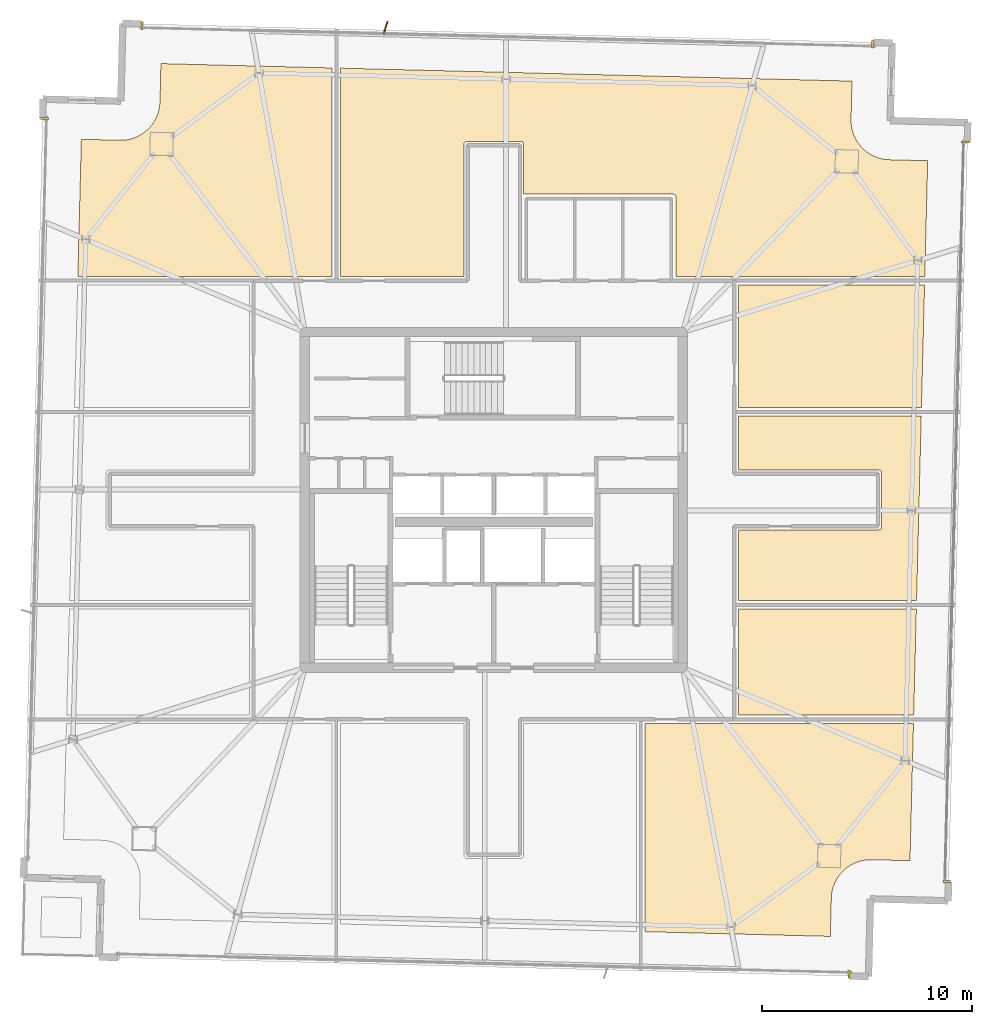
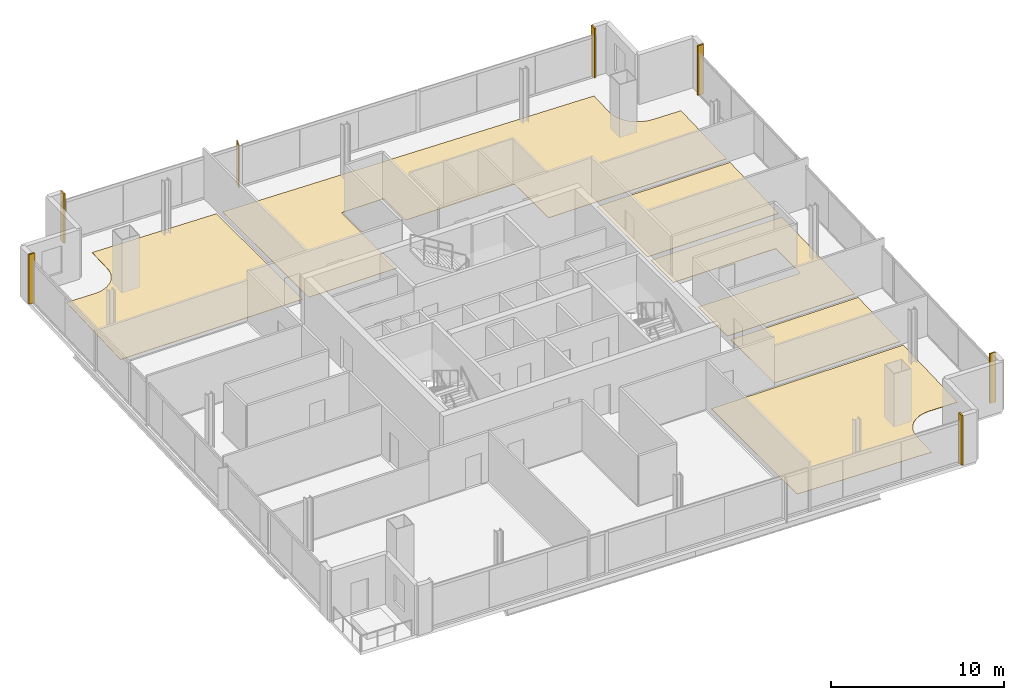
# One storey, part 25 of 25: 12 coverings, 1 shading device.
"""IFC4 building model written with IfcOpenShell, lengths in metres."""

from ifc_helpers import new_model, si_unit, direction, frame, origin, origin_2d, place, context, subcontext, project, spatial, polyline, rectangle, outline, extrude, source, transform, mapped, material, layer, layer_set, type_object, element, save


model = new_model("IFC4")

# Units and contexts
model_context = context("Model", 3, precision=1e-05, world=origin(), true_north=direction((0.0, 1.0)))
body_context = subcontext(model_context, "Body", "Model", "MODEL_VIEW")
ifc_project = project(units=[si_unit("LENGTHUNIT", "METRE"), si_unit("AREAUNIT", "SQUARE_METRE"), si_unit("VOLUMEUNIT", "CUBIC_METRE"), si_unit("PLANEANGLEUNIT", "RADIAN"), si_unit("MASSUNIT", "GRAM", prefix="KILO")], contexts=[model_context])

# Site, building, storey
site_placement = place(None, origin())
site = spatial("IfcSite", under=ifc_project, at=site_placement, CompositionType="ELEMENT")
building_placement = place(site_placement, origin())
building = spatial("IfcBuilding", under=site, at=building_placement, Name="Haldenkirk Collegiate Tower", CompositionType="ELEMENT")
storey_placement = place(building_placement, frame((0.0, 0.0, 325.199951171875)))
storey = spatial("IfcBuildingStorey", under=building, at=storey_placement, Name="L82", CompositionType="ELEMENT", Elevation=325.199951171875)

# Coverings
ifc_material_1 = material(Name="Polished collegiate terrazzo", Category="concrete")
ifc_layer_1 = layer(ifc_material_1, 0.02490234375)
ifc_layer_set_1 = layer_set([ifc_layer_1], Name="Polished collegiate terrazzo")
covering_type_1 = type_object("IfcCoveringType", Name="COV-FLOOR-TERRAZZO", PredefinedType="FLOORING", material=ifc_layer_set_1)
covering_1_placement = place(storey_placement, origin())
element("IfcCovering", 1, at=covering_1_placement, inside=storey, type_object=covering_type_1, Name="L82 academic room finish 04", PredefinedType="FLOORING", context=body_context, shape_type="SweptSolid", body=[
    extrude(outline(polyline([(18.177978515625, 43.136474609375), (18.18359375, 43.136474609375), (18.35546875, 43.140380859375), (18.3671875, 43.141357421875), (18.53759765625, 43.162353515625), (18.54931640625, 43.164306640625), (18.716796875, 43.201904296875), (18.728271484375, 43.204833984375), (18.891357421875, 43.2587890625), (18.90234375, 43.262939453125), (19.059326171875, 43.33251953125), (19.06982421875, 43.337646484375), (19.21923828125, 43.422119140625), (19.229248046875, 43.428466796875), (19.369873046875, 43.52734375), (19.379150390625, 43.53466796875), (19.50927734375, 43.646484375), (19.517822265625, 43.65478515625), (19.63623046875, 43.779052734375), (19.643798828125, 43.787841796875), (19.749755859375, 43.923095703125), (19.756591796875, 43.932861328125), (19.848388671875, 44.077880859375), (19.8544921875, 44.088134765625), (19.931640625, 44.241455078125), (19.936279296875, 44.252197265625), (19.998291015625, 44.412353515625), (20.001953125, 44.423583984375), (20.048095703125, 44.5888671875), (20.050537109375, 44.6005859375), (20.080078125, 44.769775390625), (20.08154296875, 44.781494140625), (20.09423828125, 44.95263671875), (20.094482421875, 44.95849609375), (20.140869140625, 46.7880859375), (28.300048828125, 46.581298828125), (28.300048828125, 36.64990234375), (16.18310546875, 36.64990234375), (16.348388671875, 43.182861328125), (18.177978515625, 43.136474609375)])), origin(), (0.0, 0.0, 1.0), 0.025146484375),
])
covering_2_placement = place(storey_placement, origin())
element("IfcCovering", 2, at=covering_2_placement, inside=storey, type_object=covering_type_1, Name="L82 academic room finish 10", PredefinedType="FLOORING", context=body_context, shape_type="SweptSolid", body=[
    extrude(outline(polyline([(54.35009765625, 24.580078125), (54.36181640625, 24.58056640625), (54.373291015625, 24.582275390625), (54.384765625, 24.585205078125), (54.39599609375, 24.589111328125), (54.406494140625, 24.59423828125), (54.416748046875, 24.60009765625), (54.426025390625, 24.607177734375), (54.434814453125, 24.614990234375), (54.44287109375, 24.623779296875), (54.44970703125, 24.63330078125), (54.455810546875, 24.643310546875), (54.4609375, 24.654052734375), (54.46484375, 24.665283203125), (54.4677734375, 24.676513671875), (54.469482421875, 24.688232421875), (54.469970703125, 24.699951171875), (54.469970703125, 27.300048828125), (54.469482421875, 27.311767578125), (54.4677734375, 27.323486328125), (54.46484375, 27.334716796875), (54.4609375, 27.345947265625), (54.455810546875, 27.356689453125), (54.44970703125, 27.36669921875), (54.44287109375, 27.376220703125), (54.434814453125, 27.385009765625), (54.426025390625, 27.392822265625), (54.416748046875, 27.39990234375), (54.406494140625, 27.40576171875), (54.39599609375, 27.410888671875), (54.384765625, 27.414794921875), (54.373291015625, 27.417724609375), (54.36181640625, 27.41943359375), (54.35009765625, 27.419921875), (47.64990234375, 27.419921875), (47.64990234375, 30.0), (56.36279296875, 30.0), (56.139892578125, 21.199951171875), (47.64990234375, 21.199951171875), (47.64990234375, 24.580078125), (54.35009765625, 24.580078125)])), origin(), (0.0, 0.0, 1.0), 0.025146484375),
])
ifc_material_2 = material(Name="Engineered collegiate oak acoustic flooring", Category="wood")
ifc_layer_2 = layer(ifc_material_2, 0.02197265625)
ifc_layer_set_2 = layer_set([ifc_layer_2], Name="Engineered collegiate oak acoustic flooring")
covering_type_2 = type_object("IfcCoveringType", Name="COV-FLOOR-TIMBER", PredefinedType="FLOORING", material=ifc_layer_set_2)
covering_3_placement = place(storey_placement, origin())
element("IfcCovering", 3, at=covering_3_placement, inside=storey, type_object=covering_type_2, Name="L82 academic room finish 03", PredefinedType="FLOORING", context=body_context, shape_type="SweptSolid", body=[
    extrude(outline(polyline([(53.283447265625, 8.73681640625), (53.2724609375, 8.732666015625), (53.115478515625, 8.6630859375), (53.10498046875, 8.657958984375), (52.95556640625, 8.573486328125), (52.945556640625, 8.567138671875), (52.80517578125, 8.46826171875), (52.7958984375, 8.4609375), (52.665771484375, 8.348876953125), (52.6572265625, 8.3408203125), (52.53857421875, 8.216796875), (52.53076171875, 8.20751953125), (52.425048828125, 8.072265625), (52.41845703125, 8.062744140625), (52.326416015625, 7.917724609375), (52.320556640625, 7.907470703125), (52.243408203125, 7.754150390625), (52.238525390625, 7.743408203125), (52.176513671875, 7.583251953125), (52.1728515625, 7.572021484375), (52.126953125, 7.406494140625), (52.124267578125, 7.39501953125), (52.0947265625, 7.225830078125), (52.09326171875, 7.214111328125), (52.08056640625, 7.04296875), (52.080322265625, 7.037109375), (52.033935546875, 5.20751953125), (43.199951171875, 5.43115234375), (43.199951171875, 15.35009765625), (55.991943359375, 15.35009765625), (55.826416015625, 8.812744140625), (53.9970703125, 8.859130859375), (53.9912109375, 8.859130859375), (53.819580078125, 8.85498046875), (53.8076171875, 8.854248046875), (53.63720703125, 8.833251953125), (53.62548828125, 8.831298828125), (53.4580078125, 8.793701171875), (53.446533203125, 8.790771484375), (53.283447265625, 8.73681640625)])), origin(), (0.0, 0.0, 1.0), 0.02197265625),
])
covering_4_placement = place(storey_placement, origin())
element("IfcCovering", 4, at=covering_4_placement, inside=storey, type_object=covering_type_2, Name="L82 academic room finish 05", PredefinedType="FLOORING", context=body_context, shape_type="SweptSolid", body=[
    extrude(outline(polyline([(37.419921875, 40.56591796875), (37.419921875, 42.949951171875), (37.41943359375, 42.9619140625), (37.417724609375, 42.973388671875), (37.414794921875, 42.98486328125), (37.410888671875, 42.995849609375), (37.40576171875, 43.006591796875), (37.39990234375, 43.0166015625), (37.392822265625, 43.026123046875), (37.385009765625, 43.034912109375), (37.376220703125, 43.042724609375), (37.36669921875, 43.0498046875), (37.356689453125, 43.055908203125), (37.345947265625, 43.060791015625), (37.334716796875, 43.064697265625), (37.323486328125, 43.067626953125), (37.311767578125, 43.0693359375), (37.300048828125, 43.070068359375), (34.699951171875, 43.070068359375), (34.688232421875, 43.0693359375), (34.676513671875, 43.067626953125), (34.665283203125, 43.064697265625), (34.654052734375, 43.060791015625), (34.643310546875, 43.055908203125), (34.63330078125, 43.0498046875), (34.623779296875, 43.042724609375), (34.614990234375, 43.034912109375), (34.607177734375, 43.026123046875), (34.60009765625, 43.0166015625), (34.59423828125, 43.006591796875), (34.589111328125, 42.995849609375), (34.585205078125, 42.98486328125), (34.582275390625, 42.973388671875), (34.58056640625, 42.9619140625), (34.580078125, 42.949951171875), (34.580078125, 36.64990234375), (28.699951171875, 36.64990234375), (28.699951171875, 46.5712890625), (53.0654296875, 45.95458984375), (53.01904296875, 44.125), (53.01904296875, 44.119384765625), (53.023193359375, 43.947509765625), (53.02392578125, 43.935791015625), (53.044921875, 43.765380859375), (53.046875, 43.753662109375), (53.08447265625, 43.586181640625), (53.08740234375, 43.57470703125), (53.141357421875, 43.41162109375), (53.1455078125, 43.400634765625), (53.215087890625, 43.24365234375), (53.22021484375, 43.233154296875), (53.3046875, 43.083740234375), (53.31103515625, 43.07373046875), (53.409912109375, 42.93310546875), (53.417236328125, 42.923828125), (53.529296875, 42.793701171875), (53.537353515625, 42.785400390625), (53.66162109375, 42.666748046875), (53.670654296875, 42.658935546875), (53.805908203125, 42.55322265625), (53.8154296875, 42.54638671875), (53.96044921875, 42.45458984375), (53.970703125, 42.44873046875), (54.1240234375, 42.371337890625), (54.134765625, 42.36669921875), (54.294921875, 42.3046875), (54.30615234375, 42.30078125), (54.4716796875, 42.2548828125), (54.483154296875, 42.25244140625), (54.65234375, 42.222900390625), (54.6640625, 42.221435546875), (54.835205078125, 42.208740234375), (54.84130859375, 42.20849609375), (56.670654296875, 42.162109375), (56.531005859375, 36.64990234375), (44.669921875, 36.64990234375), (44.669921875, 40.449951171875), (44.66943359375, 40.4619140625), (44.667724609375, 40.473388671875), (44.664794921875, 40.48486328125), (44.660888671875, 40.495849609375), (44.65576171875, 40.506591796875), (44.64990234375, 40.5166015625), (44.642822265625, 40.526123046875), (44.635009765625, 40.534912109375), (44.626220703125, 40.542724609375), (44.61669921875, 40.5498046875), (44.606689453125, 40.555908203125), (44.595947265625, 40.560791015625), (44.584716796875, 40.564697265625), (44.573486328125, 40.567626953125), (44.561767578125, 40.5693359375), (44.550048828125, 40.570068359375), (37.449951171875, 40.570068359375), (37.438232421875, 40.5693359375), (37.426513671875, 40.567626953125), (37.419921875, 40.56591796875)])), origin(), (0.0, 0.0, 1.0), 0.02197265625),
])
covering_5_placement = place(storey_placement, origin())
element("IfcCovering", 5, at=covering_5_placement, inside=storey, type_object=covering_type_2, Name="L82 academic room finish 09", PredefinedType="FLOORING", context=body_context, shape_type="SweptSolid", body=[
    extrude(outline(polyline([(56.001953125, 15.75), (47.64990234375, 15.75), (47.64990234375, 20.800048828125), (56.1298828125, 20.800048828125), (56.001953125, 15.75)])), origin(), (0.0, 0.0, 1.0), 0.02197265625),
])
covering_6_placement = place(storey_placement, origin())
element("IfcCovering", 6, at=covering_6_placement, inside=storey, type_object=covering_type_2, Name="L82 academic room finish 11", PredefinedType="FLOORING", context=body_context, shape_type="SweptSolid", body=[
    extrude(outline(polyline([(56.372802734375, 30.39990234375), (47.64990234375, 30.39990234375), (47.64990234375, 36.25), (56.52099609375, 36.25), (56.372802734375, 30.39990234375)])), origin(), (0.0, 0.0, 1.0), 0.02197265625),
])
ifc_material_3 = material(Name="Anodised architectural bronze aluminium", Category="aluminium")
ifc_layer_3 = layer(ifc_material_3, 0.06005859375)
ifc_layer_set_3 = layer_set([ifc_layer_3], Name="Anodised architectural bronze aluminium")
covering_type_3 = type_object("IfcCoveringType", Name="COV-CLAD-BRONZE-60", PredefinedType="CLADDING", material=ifc_layer_set_3)
shared_shape_1 = source(origin(), body_context, "Body", "SweptSolid", [
    extrude(rectangle(XDim=0.10009765625, YDim=0.3798828125, at=origin_2d()), origin(), (0.0, 0.0, 1.0), 3.489990234375),
])
for number, where, z_axis, x_axis, name in (
    (7, (58.473876953125, 43.056884765625, 0.0), (0.0, 0.0, 1.0), (-0.025304572866, -0.999679788028, 0.0), "L82 recessed curtain-wall bronze jamb closure SJL"),
    (8, (57.58203125, 7.828125, 0.0), (0.0, 0.0, 1.0), (-0.025304572866, -0.999679788028, 0.0), "L82 recessed curtain-wall bronze jamb closure SJR"),
    (9, (19.246337890625, 48.59130859375, 0.0), (0.0, 0.0, 1.0), (0.999679788028, -0.025304572866, 0.0), "L82 recessed curtain-wall bronze jamb closure EJL"),
    (10, (54.050048828125, 47.710205078125, 0.0), (0.0, 0.0, 1.0), (0.999679788028, -0.025304572866, 0.0), "L82 recessed curtain-wall bronze jamb closure EJR"),
    (11, (14.5927734375, 44.16748046875, 0.0), (0.0, 0.0, 1.0), (0.025304572866, 0.999679788028, 0.0), "L82 recessed curtain-wall bronze jamb closure NJR"),
    (12, (52.9287109375, 3.404296875, 0.0), (0.0, 0.0, 1.0), (-0.999679788028, 0.025304572866, 0.0), "L82 recessed curtain-wall bronze jamb closure WJL"),
):
    element("IfcCovering", number, at=place(storey_placement, frame(where, z_axis=z_axis, x_axis=x_axis)), inside=storey, type_object=covering_type_3, Name=name, PredefinedType="CLADDING", context=body_context, shape_type="MappedRepresentation", body=[
        mapped(shared_shape_1, transform((0.0, 0.0, 0.0), x_axis=(1.0, 0.0, 0.0), y_axis=(0.0, 1.0, 0.0), z_axis=(0.0, 0.0, 1.0), scale=1.0)),
    ])

# Shading device
ifc_layer_4 = layer(ifc_material_3, 0.06494140625)
ifc_layer_set_4 = layer_set([ifc_layer_4], Name="Anodised architectural bronze aluminium")
shading_device_type = type_object("IfcShadingDeviceType", Name="SHD-FIN-BRONZE-620", PredefinedType="USERDEFINED", material=ifc_layer_set_4)
shared_shape_2 = source(origin(), body_context, "Body", "SweptSolid", [
    extrude(rectangle(XDim=0.6201171875, YDim=0.06494140625, at=origin_2d()), origin(), (0.0, 0.0, 1.0), 2.947998046875),
])
shading_device_placement = place(storey_placement, frame((30.8427734375, 48.502685546875, 0.0), z_axis=(0.0, 0.0, 1.0), x_axis=(0.299873410064, 0.953979002881, 0.0)))
element("IfcShadingDevice", 13, at=shading_device_placement, inside=storey, type_object=shading_device_type, Name="L82 folded bronze solar fin 1", ObjectType="FIN", PredefinedType="USERDEFINED", context=body_context, shape_type="MappedRepresentation", body=[
    mapped(shared_shape_2, transform((0.0, 0.0, 0.0), x_axis=(1.0, 0.0, 0.0), y_axis=(0.0, 1.0, 0.0), z_axis=(0.0, 0.0, 1.0), scale=1.0)),
])

save(model, "model.ifc")
